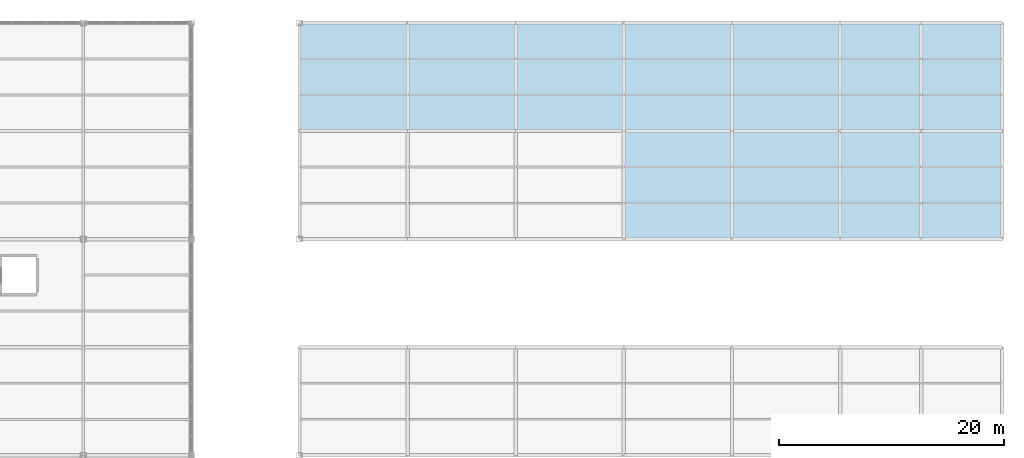
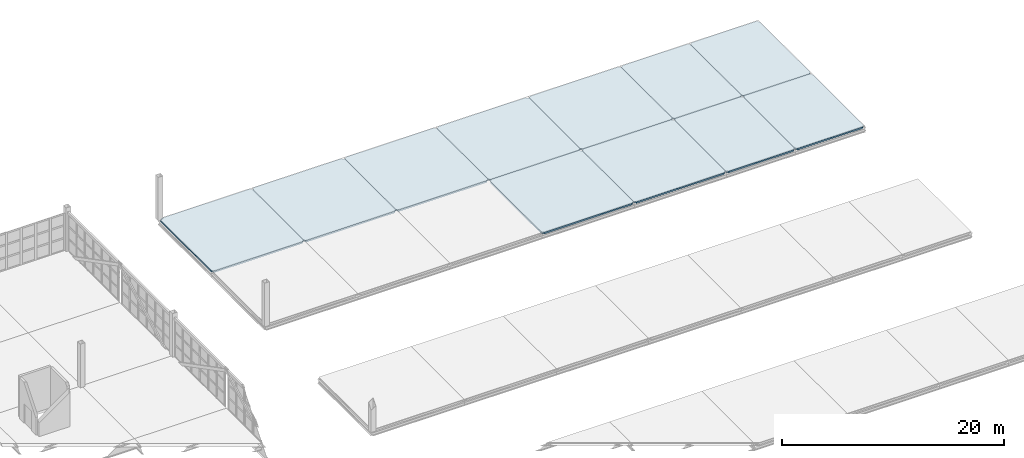
# One storey, part 95 of 120: 11 slabs.
"""IFC4 building model written with IfcOpenShell, lengths in metres."""

from ifc_helpers import new_model, si_unit, direction, frame, origin, place, context, subcontext, project, spatial, polyline, outline, extrude, material, layer, layer_set, type_object, element, save


model = new_model("IFC4")

# Units and contexts
model_context = context("Model", 3, precision=1e-05, world=origin(), true_north=direction((0.0, 1.0)))
body_context = subcontext(model_context, "Body", "Model", "MODEL_VIEW")
ifc_project = project(units=[si_unit("LENGTHUNIT", "METRE"), si_unit("AREAUNIT", "SQUARE_METRE"), si_unit("VOLUMEUNIT", "CUBIC_METRE"), si_unit("PLANEANGLEUNIT", "RADIAN"), si_unit("MASSUNIT", "GRAM", prefix="KILO")], contexts=[model_context])

# Site, building, storey
site_placement = place(None, origin())
site = spatial("IfcSite", under=ifc_project, at=site_placement, CompositionType="ELEMENT")
building_placement = place(site_placement, origin())
building = spatial("IfcBuilding", under=site, at=building_placement, Name="Zarnetskaya Central Station", CompositionType="ELEMENT")
storey_placement = place(building_placement, frame((0.0, 0.0, 5.39990234375)))
storey = spatial("IfcBuildingStorey", under=building, at=storey_placement, Name="L01", CompositionType="ELEMENT", Elevation=5.39990234375)

# Slabs
ifc_material = material(Name="Concrete C30/37", Category="concrete")
ifc_layer = layer(ifc_material, 0.159912109375, Name="Concrete C30/37", Category="concrete")
ifc_layer_set = layer_set([ifc_layer], Name="Concrete C30/37")
slab_type = type_object("IfcSlabType", Name="ROOF-CANOPY-160", PredefinedType="ROOF", material=ifc_layer_set)
slab_1_placement = place(storey_placement, frame((0.0, 0.0, -0.159912109375)))
element("IfcSlab", 1, at=slab_1_placement, inside=storey, type_object=slab_type, Name="Platform canopy slab 14-15 P-Q", PredefinedType="ROOF", context=body_context, shape_type="SweptSolid", body=[
    extrude(outline(polyline([(125.0400390625, 115.199951171875), (134.159912109375, 115.199951171875), (134.39990234375, 115.43994140625), (134.39990234375, 124.56005859375), (134.159912109375, 124.800048828125), (125.0400390625, 124.800048828125), (124.800048828125, 124.56005859375), (124.800048828125, 115.43994140625), (125.0400390625, 115.199951171875)])), origin(), (0.0, 0.0, 1.0), 0.159912109375),
])
slab_2_placement = place(storey_placement, frame((0.0, 0.0, -0.159912109375)))
element("IfcSlab", 2, at=slab_2_placement, inside=storey, type_object=slab_type, Name="Platform canopy slab 14-15 Q-R", PredefinedType="ROOF", context=body_context, shape_type="SweptSolid", body=[
    extrude(outline(polyline([(134.639892578125, 115.199951171875), (143.760009765625, 115.199951171875), (144.0, 115.43994140625), (144.0, 124.56005859375), (143.760009765625, 124.800048828125), (134.639892578125, 124.800048828125), (134.39990234375, 124.56005859375), (134.39990234375, 115.43994140625), (134.639892578125, 115.199951171875)])), origin(), (0.0, 0.0, 1.0), 0.159912109375),
])
slab_3_placement = place(storey_placement, frame((0.0, 0.0, -0.159912109375)))
element("IfcSlab", 3, at=slab_3_placement, inside=storey, type_object=slab_type, Name="Platform canopy slab 14-15 R-S", PredefinedType="ROOF", context=body_context, shape_type="SweptSolid", body=[
    extrude(outline(polyline([(144.239990234375, 115.199951171875), (153.360107421875, 115.199951171875), (153.60009765625, 115.43994140625), (153.60009765625, 124.56005859375), (153.360107421875, 124.800048828125), (144.239990234375, 124.800048828125), (144.0, 124.56005859375), (144.0, 115.43994140625), (144.239990234375, 115.199951171875)])), origin(), (0.0, 0.0, 1.0), 0.159912109375),
])
slab_4_placement = place(storey_placement, frame((0.0, 0.0, -0.159912109375)))
element("IfcSlab", 4, at=slab_4_placement, inside=storey, type_object=slab_type, Name="Platform canopy slab 13-14 S-T", PredefinedType="ROOF", context=body_context, shape_type="SweptSolid", body=[
    extrude(outline(polyline([(153.840087890625, 105.60009765625), (162.9599609375, 105.60009765625), (163.199951171875, 105.840087890625), (163.199951171875, 114.9599609375), (162.9599609375, 115.199951171875), (153.840087890625, 115.199951171875), (153.60009765625, 114.9599609375), (153.60009765625, 105.840087890625), (153.840087890625, 105.60009765625)])), origin(), (0.0, 0.0, 1.0), 0.159912109375),
])
slab_5_placement = place(storey_placement, frame((0.0, 0.0, -0.159912109375)))
element("IfcSlab", 5, at=slab_5_placement, inside=storey, type_object=slab_type, Name="Platform canopy slab 14-15 S-T", PredefinedType="ROOF", context=body_context, shape_type="SweptSolid", body=[
    extrude(outline(polyline([(153.840087890625, 115.199951171875), (162.9599609375, 115.199951171875), (163.199951171875, 115.43994140625), (163.199951171875, 124.56005859375), (162.9599609375, 124.800048828125), (153.840087890625, 124.800048828125), (153.60009765625, 124.56005859375), (153.60009765625, 115.43994140625), (153.840087890625, 115.199951171875)])), origin(), (0.0, 0.0, 1.0), 0.159912109375),
])
slab_6_placement = place(storey_placement, frame((0.0, 0.0, -0.159912109375)))
element("IfcSlab", 6, at=slab_6_placement, inside=storey, type_object=slab_type, Name="Platform canopy slab 13-14 T-U", PredefinedType="ROOF", context=body_context, shape_type="SweptSolid", body=[
    extrude(outline(polyline([(163.43994140625, 105.60009765625), (172.56005859375, 105.60009765625), (172.800048828125, 105.840087890625), (172.800048828125, 114.9599609375), (172.56005859375, 115.199951171875), (163.43994140625, 115.199951171875), (163.199951171875, 114.9599609375), (163.199951171875, 105.840087890625), (163.43994140625, 105.60009765625)])), origin(), (0.0, 0.0, 1.0), 0.159912109375),
])
slab_7_placement = place(storey_placement, frame((0.0, 0.0, -0.159912109375)))
element("IfcSlab", 7, at=slab_7_placement, inside=storey, type_object=slab_type, Name="Platform canopy slab 14-15 T-U", PredefinedType="ROOF", context=body_context, shape_type="SweptSolid", body=[
    extrude(outline(polyline([(163.43994140625, 115.199951171875), (172.56005859375, 115.199951171875), (172.800048828125, 115.43994140625), (172.800048828125, 124.56005859375), (172.56005859375, 124.800048828125), (163.43994140625, 124.800048828125), (163.199951171875, 124.56005859375), (163.199951171875, 115.43994140625), (163.43994140625, 115.199951171875)])), origin(), (0.0, 0.0, 1.0), 0.159912109375),
])
slab_8_placement = place(storey_placement, frame((0.0, 0.0, -0.159912109375)))
element("IfcSlab", 8, at=slab_8_placement, inside=storey, type_object=slab_type, Name="Platform canopy slab 13-14 U-V", PredefinedType="ROOF", context=body_context, shape_type="SweptSolid", body=[
    extrude(outline(polyline([(173.0400390625, 105.60009765625), (179.760009765625, 105.60009765625), (180.0, 105.840087890625), (180.0, 114.9599609375), (179.760009765625, 115.199951171875), (173.0400390625, 115.199951171875), (172.800048828125, 114.9599609375), (172.800048828125, 105.840087890625), (173.0400390625, 105.60009765625)])), origin(), (0.0, 0.0, 1.0), 0.159912109375),
])
slab_9_placement = place(storey_placement, frame((0.0, 0.0, -0.159912109375)))
element("IfcSlab", 9, at=slab_9_placement, inside=storey, type_object=slab_type, Name="Platform canopy slab 14-15 U-V", PredefinedType="ROOF", context=body_context, shape_type="SweptSolid", body=[
    extrude(outline(polyline([(173.0400390625, 115.199951171875), (179.760009765625, 115.199951171875), (180.0, 115.43994140625), (180.0, 124.56005859375), (179.760009765625, 124.800048828125), (173.0400390625, 124.800048828125), (172.800048828125, 124.56005859375), (172.800048828125, 115.43994140625), (173.0400390625, 115.199951171875)])), origin(), (0.0, 0.0, 1.0), 0.159912109375),
])
slab_10_placement = place(storey_placement, frame((0.0, 0.0, -0.159912109375)))
element("IfcSlab", 10, at=slab_10_placement, inside=storey, type_object=slab_type, Name="Platform canopy slab 13-14 V-W", PredefinedType="ROOF", context=body_context, shape_type="SweptSolid", body=[
    extrude(outline(polyline([(180.239990234375, 105.60009765625), (186.9599609375, 105.60009765625), (187.199951171875, 105.840087890625), (187.199951171875, 114.9599609375), (186.9599609375, 115.199951171875), (180.239990234375, 115.199951171875), (180.0, 114.9599609375), (180.0, 105.840087890625), (180.239990234375, 105.60009765625)])), origin(), (0.0, 0.0, 1.0), 0.159912109375),
])
slab_11_placement = place(storey_placement, frame((0.0, 0.0, -0.159912109375)))
element("IfcSlab", 11, at=slab_11_placement, inside=storey, type_object=slab_type, Name="Platform canopy slab 14-15 V-W", PredefinedType="ROOF", context=body_context, shape_type="SweptSolid", body=[
    extrude(outline(polyline([(180.239990234375, 115.199951171875), (186.9599609375, 115.199951171875), (187.199951171875, 115.43994140625), (187.199951171875, 124.56005859375), (186.9599609375, 124.800048828125), (180.239990234375, 124.800048828125), (180.0, 124.56005859375), (180.0, 115.43994140625), (180.239990234375, 115.199951171875)])), origin(), (0.0, 0.0, 1.0), 0.159912109375),
])

save(model, "model.ifc")
